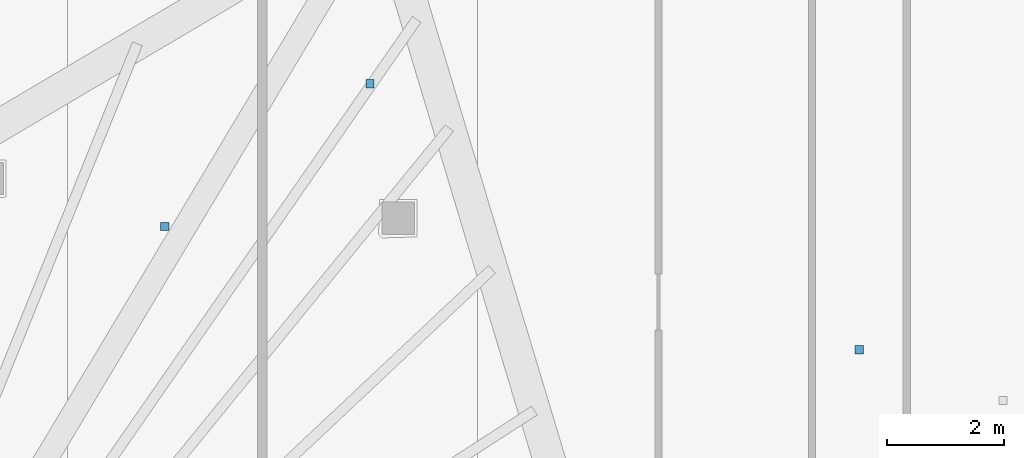
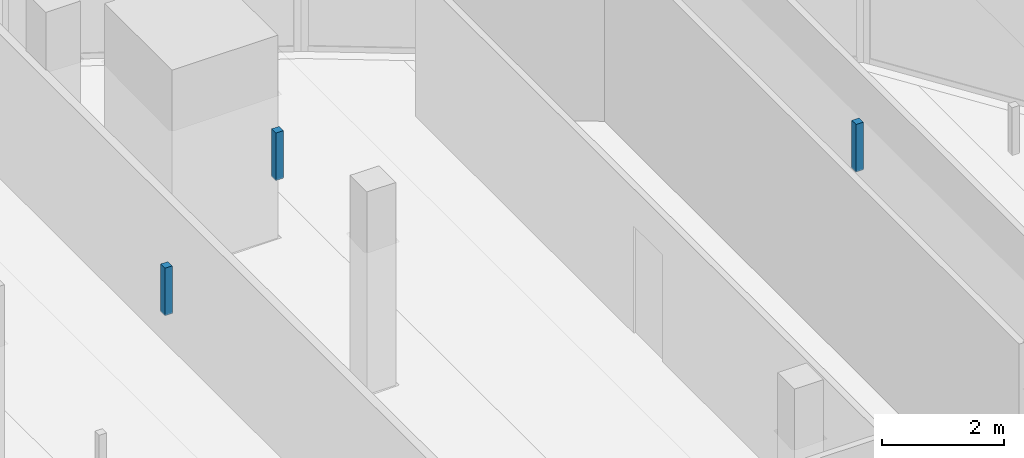
# One storey, part 28 of 35: 3 discrete accessories.
"""IFC4 building model written with IfcOpenShell, lengths in metres."""

from ifc_helpers import new_model, si_unit, direction, frame, origin, origin_2d, place, context, subcontext, project, spatial, rectangle, extrude, material, type_object, element, save


model = new_model("IFC4")

# Units and contexts
model_context = context("Model", 3, precision=1e-05, world=origin(), true_north=direction((0.0, 1.0)))
body_context = subcontext(model_context, "Body", "Model", "MODEL_VIEW")
ifc_project = project(units=[si_unit("LENGTHUNIT", "METRE"), si_unit("AREAUNIT", "SQUARE_METRE"), si_unit("VOLUMEUNIT", "CUBIC_METRE"), si_unit("PLANEANGLEUNIT", "RADIAN"), si_unit("MASSUNIT", "GRAM", prefix="KILO")], contexts=[model_context])

# Site, building, storey
site_placement = place(None, origin())
site = spatial("IfcSite", under=ifc_project, at=site_placement, CompositionType="ELEMENT")
building_placement = place(site_placement, origin())
building = spatial("IfcBuilding", under=site, at=building_placement, Name="Qorvath Tower", CompositionType="ELEMENT")
storey_placement = place(building_placement, frame((0.0, 0.0, 130.050048828125)))
storey = spatial("IfcBuildingStorey", under=building, at=storey_placement, Name="L29", CompositionType="ELEMENT", Elevation=130.050048828125)

# Discrete accessories
ifc_material = material(Name="Galvanised steel bracket", Category="steel")
discrete_accessory_type = type_object("IfcDiscreteAccessoryType", Name="DA-BRACKET", PredefinedType="BRACKET", material=ifc_material)
for number, where, z_axis, x_axis, name in (
    (1, (-19.02734375, 19.679931640625, 2.85986328125), (0.0, 0.0, 1.0), (1.0, 0.0, 0.0), "Acoustic Ceiling Suspension Hanger T1-L29-015"),
    (2, (-15.5244140625, 22.11083984375, 2.85986328125), (0.0, 0.0, 1.0), (1.0, 0.0, 0.0), "Acoustic Ceiling Suspension Hanger T1-L29-016"),
    (3, (-7.184814453125, 17.575927734375, 2.85986328125), (0.0, 0.0, 1.0), (1.0, 0.0, 0.0), "Acoustic Ceiling Suspension Hanger T1-L29-018"),
):
    element("IfcDiscreteAccessory", number, at=place(storey_placement, frame(where, z_axis=z_axis, x_axis=x_axis)), inside=storey, type_object=discrete_accessory_type, Name=name, PredefinedType="NOTDEFINED", context=body_context, shape_type="SweptSolid", body=[
        extrude(rectangle(XDim=0.139892578125, YDim=0.139892578125, at=origin_2d()), origin(), (0.0, 0.0, 1.0), 0.9501953125),
    ])

save(model, "model.ifc")
